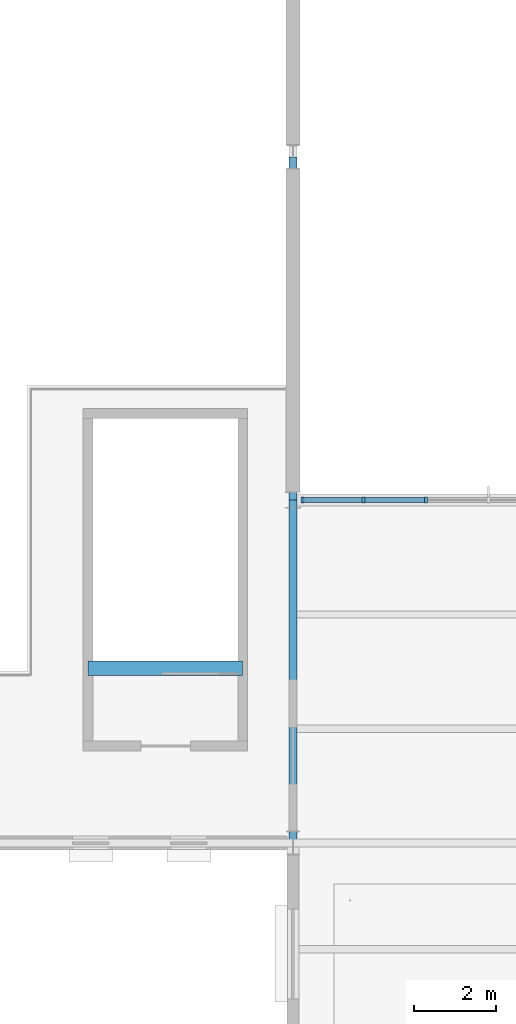
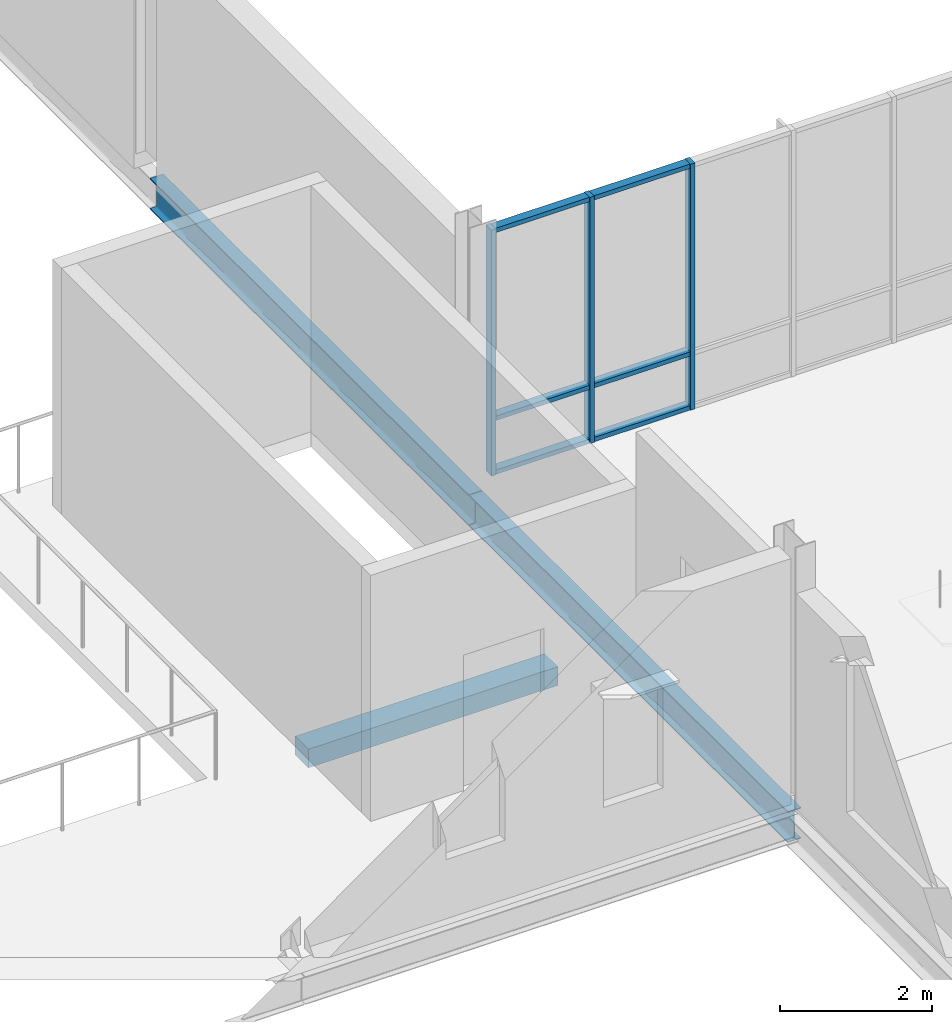
# One storey, part 34 of 75: 9 members, 3 beams, 1 element without a shape of its own.
"""IFC4 building model written with IfcOpenShell, lengths in metres."""

import ifcopenshell
import ifcopenshell.guid

model = None  # the IFC model being written
_history = None  # IfcOwnerHistory: only IFC2X3 demands one
_inside = {}  # id of a spatial element -> (the spatial element, [elements in it])
_under = {}  # id of a project, library or spatial element -> (it, [spatial elements below it])
_declared = {}  # id of a project -> (the project, [libraries it declares])
_typed = {}  # id of a type object -> (the type object, [elements of that type])
_made_of = {}  # id of a material, layer set ... -> (it, [elements and type objects made of it])


def new_model(schema):
    """Start an empty IFC model of exactly this schema.

    Asked for "IFC4X3", IfcOpenShell would pick the latest addendum, in which some entities
    have other attributes; the version numbers below select the first issue.
    IFC2X3 requires an IfcOwnerHistory on every rooted entity: one is made here for all.
    """
    global model, _history
    if schema == "IFC4X3":
        model = ifcopenshell.file(schema_version=(4, 3, 0, 0))
    else:
        model = ifcopenshell.file(schema=schema)
    _inside.clear()
    _under.clear()
    _declared.clear()
    _typed.clear()
    _made_of.clear()
    _history = None
    if model.schema == "IFC2X3":
        org = make("IfcOrganization", Name="unknown")
        user = make(
            "IfcPersonAndOrganization",
            ThePerson=make("IfcPerson", FamilyName="unknown"),
            TheOrganization=org,
        )
        app = make(
            "IfcApplication",
            ApplicationDeveloper=org,
            Version="unknown",
            ApplicationFullName="unknown",
            ApplicationIdentifier="unknown",
        )
        _history = make(
            "IfcOwnerHistory",
            OwningUser=user,
            OwningApplication=app,
            ChangeAction="ADDED",
            CreationDate=0,
        )
    return model


def make(cls, **values):
    """One entity of the class cls with the attributes given. An attribute that is None is left unset."""
    return model.create_entity(
        cls, **{name: value for name, value in values.items() if value is not None}
    )


def rooted(cls, **values):
    """An entity with a GlobalId (a new one), such as an element, a storey or a relation."""
    return make(cls, GlobalId=ifcopenshell.guid.new(), OwnerHistory=_history, **values)


def si_unit(unit_type, name, prefix=None):
    """IfcSIUnit, for example si_unit("LENGTHUNIT", "METRE", prefix="MILLI")."""
    return make("IfcSIUnit", UnitType=unit_type, Prefix=prefix, Name=name)


def assignment(units):
    """IfcUnitAssignment: the units of a project."""
    return None if units is None else make("IfcUnitAssignment", Units=units)


def point(xyz):
    """IfcCartesianPoint."""
    return None if xyz is None else make("IfcCartesianPoint", Coordinates=xyz)


def direction(xyz):
    """IfcDirection."""
    return None if xyz is None else make("IfcDirection", DirectionRatios=xyz)


def frame(location, z_axis=None, x_axis=None):
    """IfcAxis2Placement3D, a coordinate frame: its origin and axes. An axis left out is left unset."""
    return make(
        "IfcAxis2Placement3D",
        Location=point(location),
        Axis=direction(z_axis),
        RefDirection=direction(x_axis),
    )


def frame_2d(location, x_axis=None):
    """IfcAxis2Placement2D, a coordinate frame in the plane: its origin and x axis."""
    return make(
        "IfcAxis2Placement2D", Location=point(location), RefDirection=direction(x_axis)
    )


def origin():
    """The frame at (0, 0, 0) with its axes left unset."""
    return frame((0.0, 0.0, 0.0))


def origin_2d():
    """The frame at (0, 0) in the plane with its x axis left unset."""
    return frame_2d((0.0, 0.0))


def place(relative_to, where):
    """IfcLocalPlacement: puts the frame where relative to a parent placement (None: the world)."""
    return make(
        "IfcLocalPlacement", PlacementRelTo=relative_to, RelativePlacement=where
    )


def context(
    kind, dimensions, precision=None, world=None, true_north=None, identifier=None
):
    """IfcGeometricRepresentationContext, for example the 3D "Model" context."""
    return make(
        "IfcGeometricRepresentationContext",
        ContextIdentifier=identifier,
        ContextType=kind,
        CoordinateSpaceDimension=dimensions,
        Precision=precision,
        WorldCoordinateSystem=world,
        TrueNorth=true_north,
    )


def subcontext(parent, identifier, kind, view, scale=None):
    """IfcGeometricRepresentationSubContext, for example "Body" below "Model"."""
    return make(
        "IfcGeometricRepresentationSubContext",
        ContextIdentifier=identifier,
        ContextType=kind,
        ParentContext=parent,
        TargetScale=scale,
        TargetView=view,
    )


def project(units=None, contexts=None):
    """IfcProject with its units and contexts."""
    return rooted(
        "IfcProject",
        Name="project",
        RepresentationContexts=contexts,
        UnitsInContext=assignment(units),
    )


def spatial(cls, under=None, at=None, **own):
    """A site, building, storey or space (cls), placed at a placement, below another one or the project."""
    s = rooted(cls, ObjectPlacement=at, **own)
    if under is not None:
        _under.setdefault(under.id(), (under, []))[1].append(s)
    return s


def profile(cls, at=None, kind="AREA", **sizes):
    """A parametric profile (cls). Its sizes go by their IFC names, for example OverallWidth=200.0."""
    return make(cls, ProfileType=kind, Position=at, **sizes)


def rectangle(**sizes):
    """IfcRectangleProfileDef."""
    return profile("IfcRectangleProfileDef", **sizes)


def i_section(**sizes):
    """IfcIShapeProfileDef."""
    return profile("IfcIShapeProfileDef", **sizes)


def extrude(swept, where, along, depth):
    """IfcExtrudedAreaSolid: the profile swept, set in the frame where, extruded along a direction by depth."""
    return make(
        "IfcExtrudedAreaSolid",
        SweptArea=swept,
        Position=where,
        ExtrudedDirection=direction(along),
        Depth=depth,
    )


def shape(context_of_items, identifier, shape_type, items):
    """IfcShapeRepresentation: the items that make up one representation, for example the "Body"."""
    return make(
        "IfcShapeRepresentation",
        ContextOfItems=context_of_items,
        RepresentationIdentifier=identifier,
        RepresentationType=shape_type,
        Items=items,
    )


def material(Name=None, Category=None):
    """IfcMaterial."""
    return make("IfcMaterial", Name=Name, Category=Category)


def layer(
    of_material, thickness, ventilated=None, Name=None, Category=None, Priority=None
):
    """IfcMaterialLayer: one layer of a wall or slab, of a material (None: an air gap)."""
    return make(
        "IfcMaterialLayer",
        Material=of_material,
        LayerThickness=thickness,
        IsVentilated=ventilated,
        Name=Name,
        Category=Category,
        Priority=Priority,
    )


def layer_set(layers, Name=None):
    """IfcMaterialLayerSet."""
    return make("IfcMaterialLayerSet", MaterialLayers=layers, LayerSetName=Name)


def material_profile(
    of_material, cross_section, Name=None, Category=None, Priority=None
):
    """IfcMaterialProfile: a cross section and its material."""
    return make(
        "IfcMaterialProfile",
        Name=Name,
        Material=of_material,
        Profile=cross_section,
        Priority=Priority,
        Category=Category,
    )


def profile_set(profiles, Name=None, composite=None):
    """IfcMaterialProfileSet."""
    return make(
        "IfcMaterialProfileSet",
        Name=Name,
        MaterialProfiles=profiles,
        CompositeProfile=composite,
    )


def made_of(thing, what):
    """Note that an element or type object is made of a material, layer set ...; save() writes the relation."""
    if what is not None:
        _made_of.setdefault(what.id(), (what, []))[1].append(thing)
    return thing


def type_object(cls, material=None, **own):
    """A type object (cls), such as IfcWallType, which elements share."""
    return made_of(rooted(cls, **own), material)


def element(
    cls,
    number,
    at=None,
    inside=None,
    cuts=None,
    type_object=None,
    material=None,
    context=None,
    identifier="Body",
    shape_type=None,
    held_by="IfcProductDefinitionShape",
    body=None,
    shapes=None,
    **own,
):
    """One element of the class cls, such as IfcWall. Its Tag is "e" and its number.

    at: its placement. inside: the storey or other place that contains it. cuts: it is an
    opening in that element (IfcRelVoidsElement). A single representation is given by context,
    identifier, shape_type and body (its items); several are given by shapes. held_by: the class
    of the entity that holds the representations. save() writes the other relations.
    """
    e = rooted(cls, Tag="e%d" % number, ObjectPlacement=at, **own)
    if body is not None:
        shapes = [shape(context, identifier, shape_type, body)]
    if shapes is not None:
        e.Representation = make(held_by, Representations=shapes)
    if inside is not None:
        _inside.setdefault(inside.id(), (inside, []))[1].append(e)
    if cuts is not None:
        rooted(
            "IfcRelVoidsElement", RelatingBuildingElement=cuts, RelatedOpeningElement=e
        )
    if type_object is not None:
        _typed.setdefault(type_object.id(), (type_object, []))[1].append(e)
    return made_of(e, material)


def aggregate(whole, parts):
    """IfcRelAggregates: a whole, such as a stair, and the parts it consists of."""
    return rooted("IfcRelAggregates", RelatingObject=whole, RelatedObjects=parts)


def save(model, path):
    """Write the relations noted so far, then the file.

    IfcRelAggregates (storeys below a building ...), IfcRelContainedInSpatialStructure (elements
    in a storey), IfcRelDefinesByType, IfcRelAssociatesMaterial and IfcRelDeclares: one each for
    every whole, place, type object, material and project.
    """
    for whole, parts in _under.values():
        aggregate(whole, parts)
    for where, things in _inside.values():
        rooted(
            "IfcRelContainedInSpatialStructure",
            RelatedElements=things,
            RelatingStructure=where,
        )
    for kind, things in _typed.values():
        rooted("IfcRelDefinesByType", RelatedObjects=things, RelatingType=kind)
    for what, things in _made_of.values():
        rooted("IfcRelAssociatesMaterial", RelatedObjects=things, RelatingMaterial=what)
    for by, libraries in _declared.values():
        rooted("IfcRelDeclares", RelatingContext=by, RelatedDefinitions=libraries)
    model.write(path)


model = new_model("IFC4")

# Units and contexts
model_context = context("Model", 3, precision=1e-05, world=origin(), true_north=direction((0.0, 1.0)))
body_context = subcontext(model_context, "Body", "Model", "MODEL_VIEW")
ifc_project = project(units=[si_unit("LENGTHUNIT", "METRE"), si_unit("AREAUNIT", "SQUARE_METRE"), si_unit("VOLUMEUNIT", "CUBIC_METRE"), si_unit("PLANEANGLEUNIT", "RADIAN"), si_unit("MASSUNIT", "GRAM", prefix="KILO")], contexts=[model_context])

# Site, building, storey
site_placement = place(None, origin())
site = spatial("IfcSite", under=ifc_project, at=site_placement, CompositionType="ELEMENT")
building_placement = place(site_placement, origin())
building = spatial("IfcBuilding", under=site, at=building_placement, Name="Yukiwa Park Conservatory and Herbarium", CompositionType="ELEMENT")
storey_placement = place(building_placement, frame((0.0, 0.0, 4.800048828125)))
storey = spatial("IfcBuildingStorey", under=building, at=storey_placement, Name="L01", CompositionType="ELEMENT", Elevation=4.800048828125)

# Beams
ifc_material_1 = material(Name="Steel Q355D", Category="steel")
ifc_material_profile_1 = material_profile(ifc_material_1, i_section(OverallWidth=0.199951171875, OverallDepth=0.5, WebThickness=0.010009765625, FlangeThickness=0.01611328125, FilletRadius=0.02001953125, at=origin_2d()), Name="HN 500x200x10x16")
ifc_profile_set_1 = profile_set([ifc_material_profile_1], Name="Steel Q355D")
beam_type_1 = type_object("IfcBeamType", Name="BM-GRD-HN500", PredefinedType="BEAM", material=ifc_profile_set_1)
for number, where, z_axis, x_axis, name in (
    (1, (60.0, 78.006103515625, -0.489990234375), (0.0, 1.0, 0.0), (-1.0, 0.0, 0.0), "L01 grid girder Y-123"),
    (2, (60.0, 86.406005859375, -0.489990234375), (0.0, 1.0, 0.0), (-1.0, 0.0, 0.0), "L01 grid girder Y-124"),
):
    element("IfcBeam", number, at=place(storey_placement, frame(where, z_axis=z_axis, x_axis=x_axis)), inside=storey, type_object=beam_type_1, Name=name, PredefinedType="BEAM", context=body_context, shape_type="SweptSolid", body=[
        extrude(i_section(OverallWidth=0.199951171875, OverallDepth=0.5, WebThickness=0.010009765625, FlangeThickness=0.01611328125, FilletRadius=0.02001953125, at=origin_2d()), origin(), (0.0, 0.0, 1.0), 8.387939453125),
    ])
ifc_material_2 = material(Name="Concrete C40", Category="concrete")
ifc_material_profile_2 = material_profile(ifc_material_2, rectangle(XDim=0.35009765625, YDim=0.300048828125, at=origin_2d()), Name="RC 350x300")
ifc_profile_set_2 = profile_set([ifc_material_profile_2], Name="Concrete C40")
beam_type_2 = type_object("IfcBeamType", Name="BM-STAIR-TRIM", PredefinedType="BEAM", material=ifc_profile_set_2)
beam_placement = place(storey_placement, frame((54.97998046875, 82.280029296875, -0.150146484375), z_axis=(1.0, 0.0, 0.0), x_axis=(0.0, 1.0, 0.0)))
element("IfcBeam", 3, at=beam_placement, inside=storey, type_object=beam_type_2, Name="Stair ST-A2 L01 landing trimmer beam", PredefinedType="BEAM", context=body_context, shape_type="SweptSolid", body=[
    extrude(rectangle(XDim=0.35009765625, YDim=0.300048828125, at=origin_2d()), origin(), (0.0, 0.0, 1.0), 3.7900390625),
])

# Curtain wall, members
ifc_material_3 = material(Name="Triple Low-E Insulated Glass", Category="glass")
ifc_layer = layer(ifc_material_3, 0.236083984375)
ifc_layer_set = layer_set([ifc_layer], Name="Triple Low-E Insulated Glass")
curtain_wall_type = type_object("IfcCurtainWallType", Name="CW-LINK-1500", PredefinedType="NOTDEFINED", material=ifc_layer_set)
curtain_wall_placement = place(storey_placement, origin())
curtain_wall = element("IfcCurtainWall", 4, at=curtain_wall_placement, inside=storey, type_object=curtain_wall_type, Name="L01 unitised curtain wall CW-L01-047", PredefinedType="NOTDEFINED")
ifc_material_4 = material(Name="Anodised Aluminium", Category="aluminium")
member_type_1 = type_object("IfcMemberType", Name="MB-CW-MUL-70X150", PredefinedType="MULLION", material=ifc_material_4)
member_1_placement = place(storey_placement, frame((63.260009765625, 86.39990234375, 0.0), z_axis=(0.0, 0.0, 1.0), x_axis=(-1.0, 0.0, 0.0)))
member_1 = element("IfcMember", 5, at=member_1_placement, type_object=member_type_1, Name="CW-L01-047 mullion 4", PredefinedType="MULLION", context=body_context, shape_type="SweptSolid", body=[
    extrude(rectangle(XDim=0.070068359375, YDim=0.14990234375, at=origin_2d()), origin(), (0.0, 0.0, 1.0), 3.955078125),
])
member_2_placement = place(storey_placement, frame((61.72998046875, 86.39990234375, 0.0), z_axis=(0.0, 0.0, 1.0), x_axis=(-1.0, 0.0, 0.0)))
member_2 = element("IfcMember", 6, at=member_2_placement, type_object=member_type_1, Name="CW-L01-047 mullion 5", PredefinedType="MULLION", context=body_context, shape_type="SweptSolid", body=[
    extrude(rectangle(XDim=0.070068359375, YDim=0.14990234375, at=origin_2d()), origin(), (0.0, 0.0, 1.0), 3.955078125),
])
member_3_placement = place(storey_placement, frame((60.235107421875, 86.39990234375, 0.0), z_axis=(0.0, 0.0, 1.0), x_axis=(-1.0, 0.0, 0.0)))
member_3 = element("IfcMember", 7, at=member_3_placement, type_object=member_type_1, Name="CW-L01-047 mullion 6", PredefinedType="MULLION", context=body_context, shape_type="SweptSolid", body=[
    extrude(rectangle(XDim=0.070068359375, YDim=0.14990234375, at=origin_2d()), origin(), (0.0, 0.0, 1.0), 3.955078125),
])
ifc_material_5 = material(Name="Anodised Aluminium", Category="aluminium")
member_type_2 = type_object("IfcMemberType", Name="MB-CW-TRN-70X130", PredefinedType="USERDEFINED", material=ifc_material_5)
member_4_placement = place(storey_placement, frame((62.4951171875, 86.39990234375, 0.0), z_axis=(0.0, 0.0, 1.0), x_axis=(-1.0, 0.0, 0.0)))
member_4 = element("IfcMember", 8, at=member_4_placement, type_object=member_type_2, Name="CW-L01-047 transom 4.1", ObjectType="TRANSOM", PredefinedType="USERDEFINED", context=body_context, shape_type="SweptSolid", body=[
    extrude(rectangle(XDim=1.4599609375, YDim=0.1298828125, at=origin_2d()), origin(), (0.0, 0.0, 1.0), 0.070068359375),
])
member_5_placement = place(storey_placement, frame((62.4951171875, 86.39990234375, 0.86474609375), z_axis=(0.0, 0.0, 1.0), x_axis=(-1.0, 0.0, 0.0)))
member_5 = element("IfcMember", 9, at=member_5_placement, type_object=member_type_2, Name="CW-L01-047 transom 4.2", ObjectType="TRANSOM", PredefinedType="USERDEFINED", context=body_context, shape_type="SweptSolid", body=[
    extrude(rectangle(XDim=1.4599609375, YDim=0.1298828125, at=origin_2d()), origin(), (0.0, 0.0, 1.0), 0.070068359375),
])
member_6_placement = place(storey_placement, frame((62.4951171875, 86.39990234375, 3.884765625), z_axis=(0.0, 0.0, 1.0), x_axis=(-1.0, 0.0, 0.0)))
member_6 = element("IfcMember", 10, at=member_6_placement, type_object=member_type_2, Name="CW-L01-047 transom 4.3", ObjectType="TRANSOM", PredefinedType="USERDEFINED", context=body_context, shape_type="SweptSolid", body=[
    extrude(rectangle(XDim=1.4599609375, YDim=0.1298828125, at=origin_2d()), origin(), (0.0, 0.0, 1.0), 0.070068359375),
])
member_7_placement = place(storey_placement, frame((60.965087890625, 86.39990234375, 0.0), z_axis=(0.0, 0.0, 1.0), x_axis=(-1.0, 0.0, 0.0)))
member_7 = element("IfcMember", 11, at=member_7_placement, type_object=member_type_2, Name="CW-L01-047 transom 5.1", ObjectType="TRANSOM", PredefinedType="USERDEFINED", context=body_context, shape_type="SweptSolid", body=[
    extrude(rectangle(XDim=1.4599609375, YDim=0.1298828125, at=origin_2d()), origin(), (0.0, 0.0, 1.0), 0.070068359375),
])
member_8_placement = place(storey_placement, frame((60.965087890625, 86.39990234375, 0.86474609375), z_axis=(0.0, 0.0, 1.0), x_axis=(-1.0, 0.0, 0.0)))
member_8 = element("IfcMember", 12, at=member_8_placement, type_object=member_type_2, Name="CW-L01-047 transom 5.2", ObjectType="TRANSOM", PredefinedType="USERDEFINED", context=body_context, shape_type="SweptSolid", body=[
    extrude(rectangle(XDim=1.4599609375, YDim=0.1298828125, at=origin_2d()), origin(), (0.0, 0.0, 1.0), 0.070068359375),
])
member_9_placement = place(storey_placement, frame((60.965087890625, 86.39990234375, 3.884765625), z_axis=(0.0, 0.0, 1.0), x_axis=(-1.0, 0.0, 0.0)))
member_9 = element("IfcMember", 13, at=member_9_placement, type_object=member_type_2, Name="CW-L01-047 transom 5.3", ObjectType="TRANSOM", PredefinedType="USERDEFINED", context=body_context, shape_type="SweptSolid", body=[
    extrude(rectangle(XDim=1.4599609375, YDim=0.1298828125, at=origin_2d()), origin(), (0.0, 0.0, 1.0), 0.070068359375),
])
aggregate(curtain_wall, [member_1, member_2, member_3, member_4, member_5, member_6, member_7, member_8, member_9])

save(model, "model.ifc")
